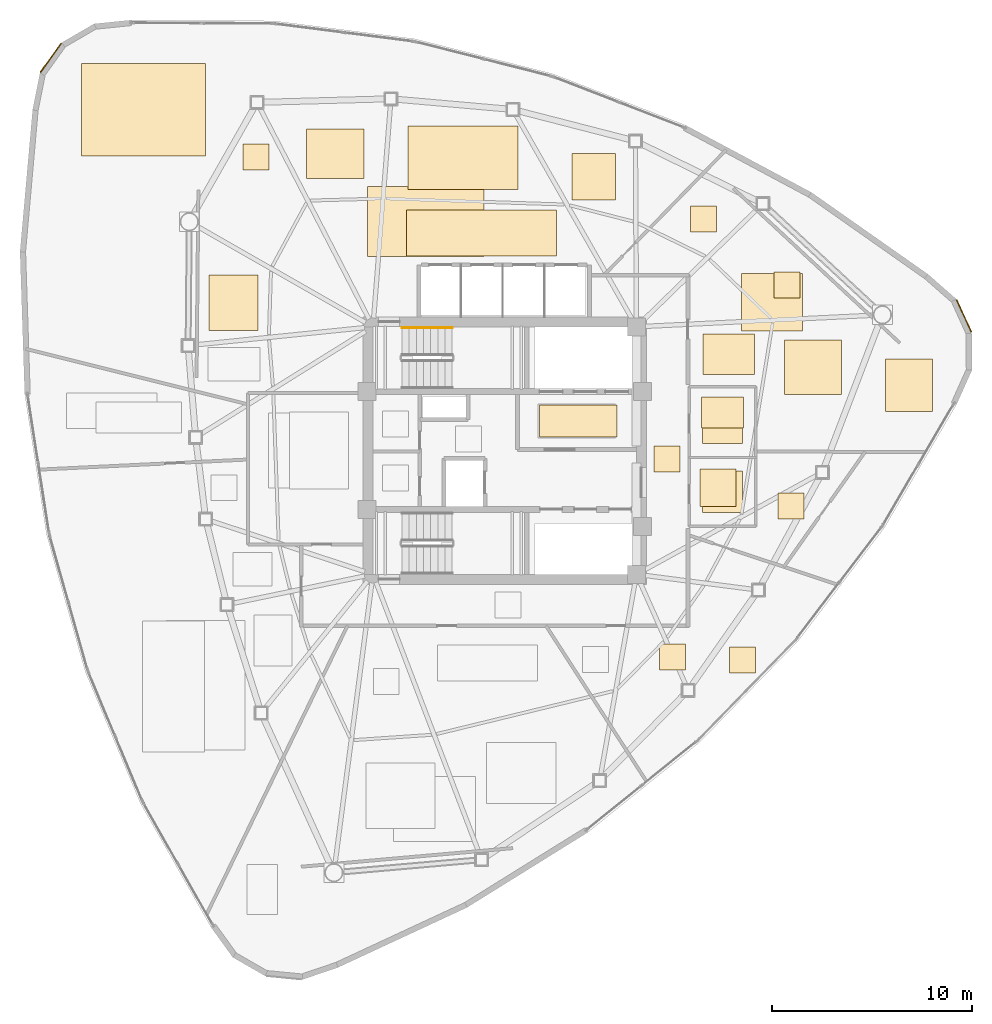
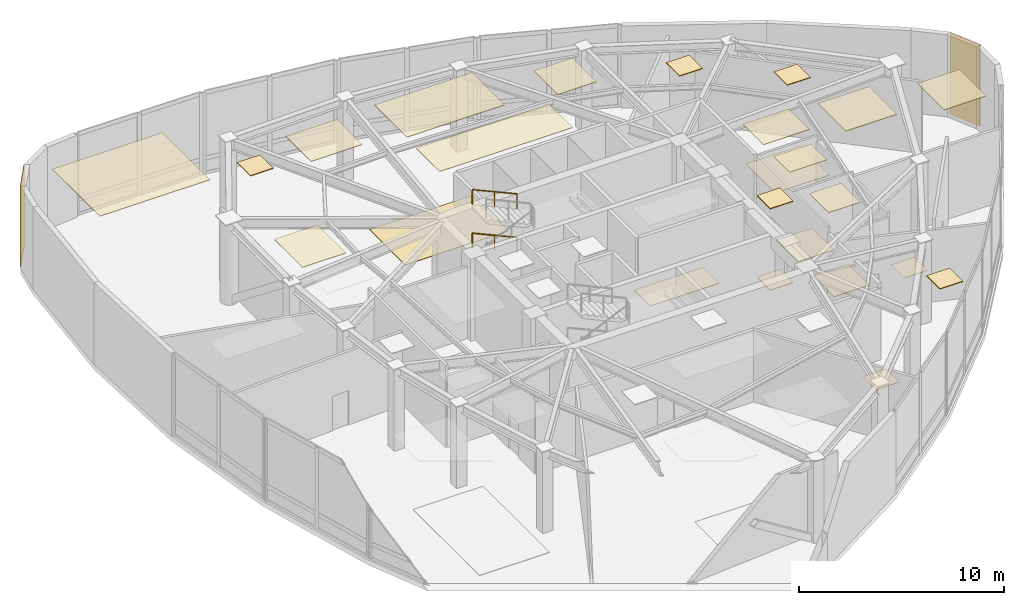
# One storey, part 12 of 12: 26 coverings, 2 railings.
"""IFC4 building model written with IfcOpenShell, lengths in metres."""

from ifc_helpers import new_model, si_unit, direction, frame, origin, origin_2d, place, context, subcontext, project, spatial, polyline, rectangle, outline, extrude, material, layer, layer_set, type_object, element, save


model = new_model("IFC4")

# Units and contexts
model_context = context("Model", 3, precision=1e-05, world=origin(), true_north=direction((0.0, 1.0)))
body_context = subcontext(model_context, "Body", "Model", "MODEL_VIEW")
ifc_project = project(units=[si_unit("LENGTHUNIT", "METRE"), si_unit("AREAUNIT", "SQUARE_METRE"), si_unit("VOLUMEUNIT", "CUBIC_METRE"), si_unit("PLANEANGLEUNIT", "RADIAN"), si_unit("MASSUNIT", "GRAM", prefix="KILO")], contexts=[model_context])

# Site, building, storey
site_placement = place(None, origin())
site = spatial("IfcSite", under=ifc_project, at=site_placement, CompositionType="ELEMENT")
building_placement = place(site_placement, origin())
building = spatial("IfcBuilding", under=site, at=building_placement, Name="Tavelor Broadcast Tower", CompositionType="ELEMENT")
storey_placement = place(building_placement, frame((0.0, 0.0, 216.949951171875)))
storey = spatial("IfcBuildingStorey", under=building, at=storey_placement, Name="L51", CompositionType="ELEMENT", Elevation=216.949951171875)

# Coverings
ifc_material_1 = material(Name="Copper-Bronze Anodized Aluminium", Category="aluminium")
ifc_layer_1 = layer(ifc_material_1, 0.044921875)
ifc_layer_set_1 = layer_set([ifc_layer_1], Name="Copper-Bronze Anodized Aluminium")
covering_type_1 = type_object("IfcCoveringType", Name="Anodised Bronze Linear Slatted Concourse Ceiling 45 mm", PredefinedType="CEILING", material=ifc_layer_set_1)
covering_1_placement = place(storey_placement, frame((0.0, 0.0, 4.85498046875)))
element("IfcCovering", 1, at=covering_1_placement, inside=storey, type_object=covering_type_1, Name="L51 Suspended Acoustic Ceiling 2033", PredefinedType="CEILING", context=body_context, shape_type="SweptSolid", body=[
    extrude(outline(polyline([(57.489990234375, 43.925048828125), (58.7900390625, 43.925048828125), (58.7900390625, 45.22509765625), (57.489990234375, 45.22509765625), (57.489990234375, 43.925048828125)])), origin(), (0.0, 0.0, 1.0), 0.045166015625),
])
ifc_layer_2 = layer(ifc_material_1, 0.050048828125)
ifc_layer_set_2 = layer_set([ifc_layer_2], Name="Copper-Bronze Anodized Aluminium")
covering_type_2 = type_object("IfcCoveringType", Name="Champagne-Bronze Corner Pier Metal Cladding 50 mm", PredefinedType="CLADDING", material=ifc_layer_set_2)
for number, where, z_axis, x_axis, name in (
    (2, (27.26025390625, 64.6728515625, 0.02001953125), (0.0, 0.0, 1.0), (-0.58141318432, -0.813608449501, 0.0), "L51 Champagne-Bronze Corner Cladding 03"),
    (3, (73.007080078125, 51.7392578125, 0.02001953125), (0.0, 0.0, 1.0), (-0.413898993841, 0.910322812467, 0.0), "L51 Champagne-Bronze Corner Cladding 23"),
):
    element("IfcCovering", number, at=place(storey_placement, frame(where, z_axis=z_axis, x_axis=x_axis)), inside=storey, type_object=covering_type_2, Name=name, PredefinedType="CLADDING", context=body_context, shape_type="SweptSolid", body=[
        extrude(rectangle(XDim=1.774658203125, YDim=0.050048828125, at=origin_2d()), origin(), (0.0, 0.0, 1.0), 4.860107421875),
    ])

# Railings
ifc_material_2 = material(Name="Steel S355", Category="steel")
railing_type = type_object("IfcRailingType", Name="Continuous Brushed Stainless Handrail 900 mm", PredefinedType="HANDRAIL", material=ifc_material_2)
for number, where, name in (
    (4, (47.3701171875, 51.14990234375, 1.462646484375), "L51 ST1 stair handrail 2"),
    (5, (47.3701171875, 51.14990234375, 4.0625), "L51 ST1 stair handrail 4"),
):
    element("IfcRailing", number, at=place(storey_placement, frame(where)), inside=storey, type_object=railing_type, Name=name, PredefinedType="HANDRAIL", context=body_context, shape_type="SweptSolid", body=[
        extrude(rectangle(XDim=0.048095703125, YDim=0.048095703125, at=origin_2d()), frame((0.0, 0.0, 0.8759765625), z_axis=(-0.911454990345, 0.0, 0.411399806241), x_axis=(0.0, -1.0, 0.0)), (0.0, 0.0, 1.0), 2.764892578125),
        extrude(rectangle(XDim=0.0419921875, YDim=0.0419921875, at=origin_2d()), origin(), (0.0, 0.0, 1.0), 0.851806640625),
        extrude(rectangle(XDim=0.0419921875, YDim=0.0419921875, at=origin_2d()), frame((-1.260009765625, 0.0, 0.56884765625)), (0.0, 0.0, 1.0), 0.851806640625),
        extrude(rectangle(XDim=0.0419921875, YDim=0.0419921875, at=origin_2d()), frame((-2.52001953125, 0.0, 1.137451171875)), (0.0, 0.0, 1.0), 0.851806640625),
    ])

# Coverings
ifc_material_3 = material(Name="Acoustic Nylon Carpet Tile")
ifc_layer_3 = layer(ifc_material_3, 0.02001953125)
ifc_layer_set_3 = layer_set([ifc_layer_3], Name="Acoustic Nylon Carpet Tile")
covering_type_3 = type_object("IfcCoveringType", Name="Heavy-Duty Acoustic Broadcast Carpet Tile 20 mm", PredefinedType="FLOORING", material=ifc_layer_set_3)
covering_2_placement = place(storey_placement, origin())
element("IfcCovering", 6, at=covering_2_placement, inside=storey, type_object=covering_type_3, Name="L51 Broadcast Floor Finish 0746", PredefinedType="FLOORING", context=body_context, shape_type="SweptSolid", body=[
    extrude(outline(polyline([(61.857177734375, 50.98779296875), (64.923583984375, 50.98779296875), (64.923583984375, 53.860595703125), (61.857177734375, 53.860595703125), (61.857177734375, 50.98779296875)])), origin(), (0.0, 0.0, 1.0), 0.02001953125),
])
covering_3_placement = place(storey_placement, origin())
element("IfcCovering", 7, at=covering_3_placement, inside=storey, type_object=covering_type_3, Name="L51 Broadcast Floor Finish 0747", PredefinedType="FLOORING", context=body_context, shape_type="SweptSolid", body=[
    extrude(outline(polyline([(57.744873046875, 34.00390625), (59.044921875, 34.00390625), (59.044921875, 35.3037109375), (57.744873046875, 35.3037109375), (57.744873046875, 34.00390625)])), origin(), (0.0, 0.0, 1.0), 0.02001953125),
])
covering_4_placement = place(storey_placement, origin())
element("IfcCovering", 8, at=covering_4_placement, inside=storey, type_object=covering_type_3, Name="L51 Broadcast Floor Finish 0751", PredefinedType="FLOORING", context=body_context, shape_type="SweptSolid", body=[
    extrude(outline(polyline([(43.128173828125, 54.720703125), (48.948974609375, 54.720703125), (48.948974609375, 58.216552734375), (43.128173828125, 58.216552734375), (43.128173828125, 54.720703125)])), origin(), (0.0, 0.0, 1.0), 0.02001953125),
])
covering_5_placement = place(storey_placement, origin())
element("IfcCovering", 9, at=covering_5_placement, inside=storey, type_object=covering_type_3, Name="L51 Broadcast Floor Finish 0752", PredefinedType="FLOORING", context=body_context, shape_type="SweptSolid", body=[
    extrude(outline(polyline([(63.69921875, 41.56689453125), (64.9990234375, 41.56689453125), (64.9990234375, 42.86669921875), (63.69921875, 42.86669921875), (63.69921875, 41.56689453125)])), origin(), (0.0, 0.0, 1.0), 0.02001953125),
])
ifc_material_4 = material(Name="Honed Natural Limestone Tile", Category="masonry")
ifc_layer_4 = layer(ifc_material_4, 0.030029296875)
ifc_layer_set_4 = layer_set([ifc_layer_4], Name="Honed Natural Limestone Tile")
covering_type_4 = type_object("IfcCoveringType", Name="Honed Jerusalem Limestone Concourse Flooring 30 mm", PredefinedType="FLOORING", material=ifc_layer_set_4)
covering_6_placement = place(storey_placement, origin())
element("IfcCovering", 10, at=covering_6_placement, inside=storey, type_object=covering_type_4, Name="L51 Broadcast Floor Finish 0741", PredefinedType="FLOORING", context=body_context, shape_type="SweptSolid", body=[
    extrude(outline(polyline([(51.7373046875, 45.689453125), (55.62255859375, 45.689453125), (55.62255859375, 47.2705078125), (51.7373046875, 47.2705078125), (51.7373046875, 45.689453125)])), origin(), (0.0, 0.0, 1.0), 0.030029296875),
])
covering_7_placement = place(storey_placement, origin())
element("IfcCovering", 11, at=covering_7_placement, inside=storey, type_object=covering_type_4, Name="L51 Broadcast Floor Finish 0742", PredefinedType="FLOORING", context=body_context, shape_type="SweptSolid", body=[
    extrude(outline(polyline([(57.489990234375, 43.925048828125), (58.7900390625, 43.925048828125), (58.7900390625, 45.22509765625), (57.489990234375, 45.22509765625), (57.489990234375, 43.925048828125)])), origin(), (0.0, 0.0, 1.0), 0.030029296875),
])
ifc_material_5 = material(Name="Architectural Anodized Aluminium", Category="aluminium")
ifc_layer_5 = layer(ifc_material_5, 0.030029296875)
ifc_layer_set_5 = layer_set([ifc_layer_5], Name="Architectural Anodized Aluminium")
covering_type_5 = type_object("IfcCoveringType", Name="Moisture-Resistant Washroom Ceiling 30 mm", PredefinedType="CEILING", material=ifc_layer_set_5)
covering_8_placement = place(storey_placement, frame((0.0, 0.0, 4.8701171875)))
element("IfcCovering", 12, at=covering_8_placement, inside=storey, type_object=covering_type_5, Name="L51 Suspended Acoustic Ceiling 2036", PredefinedType="CEILING", context=body_context, shape_type="SweptSolid", body=[
    extrude(outline(polyline([(59.79150390625, 42.2001953125), (61.589599609375, 42.2001953125), (61.589599609375, 44.08203125), (59.79150390625, 44.08203125), (59.79150390625, 42.2001953125)])), origin(), (0.0, 0.0, 1.0), 0.030029296875),
])
covering_9_placement = place(storey_placement, frame((0.0, 0.0, 4.8701171875)))
element("IfcCovering", 13, at=covering_9_placement, inside=storey, type_object=covering_type_5, Name="L51 Suspended Acoustic Ceiling 2037", PredefinedType="CEILING", context=body_context, shape_type="SweptSolid", body=[
    extrude(outline(polyline([(59.85302734375, 46.13623046875), (61.967041015625, 46.13623046875), (61.967041015625, 47.69482421875), (59.85302734375, 47.69482421875), (59.85302734375, 46.13623046875)])), origin(), (0.0, 0.0, 1.0), 0.030029296875),
])
ifc_material_6 = material(Name="Slip-Resistant Porcelain Tile")
ifc_layer_6 = layer(ifc_material_6, 0.02490234375)
ifc_layer_set_6 = layer_set([ifc_layer_6], Name="Slip-Resistant Porcelain Tile")
covering_type_6 = type_object("IfcCoveringType", Name="Slip-Resistant Porcelain Wet-Area Floor Tile 25 mm", PredefinedType="FLOORING", material=ifc_layer_set_6)
covering_10_placement = place(storey_placement, origin())
element("IfcCovering", 14, at=covering_10_placement, inside=storey, type_object=covering_type_6, Name="L51 Broadcast Floor Finish 0744", PredefinedType="FLOORING", context=body_context, shape_type="SweptSolid", body=[
    extrude(outline(polyline([(59.91064453125, 41.885986328125), (61.909423828125, 41.885986328125), (61.909423828125, 43.964111328125), (59.91064453125, 43.964111328125), (59.91064453125, 41.885986328125)])), origin(), (0.0, 0.0, 1.0), 0.025146484375),
])
covering_11_placement = place(storey_placement, origin())
element("IfcCovering", 15, at=covering_11_placement, inside=storey, type_object=covering_type_6, Name="L51 Broadcast Floor Finish 0745", PredefinedType="FLOORING", context=body_context, shape_type="SweptSolid", body=[
    extrude(outline(polyline([(59.91064453125, 45.35009765625), (61.909423828125, 45.35009765625), (61.909423828125, 47.5), (59.91064453125, 47.5), (59.91064453125, 45.35009765625)])), origin(), (0.0, 0.0, 1.0), 0.025146484375),
])
ifc_material_7 = material(Name="Acoustic Mineral Fibre Tile")
ifc_layer_7 = layer(ifc_material_7, 0.0400390625)
ifc_layer_set_7 = layer_set([ifc_layer_7], Name="Acoustic Mineral Fibre Tile")
covering_type_7 = type_object("IfcCoveringType", Name="Suspended Acoustic Mineral-Fibre Office Ceiling 40 mm", PredefinedType="CEILING", material=ifc_layer_set_7)
covering_12_placement = place(storey_placement, frame((0.0, 0.0, 4.860107421875)))
element("IfcCovering", 16, at=covering_12_placement, inside=storey, type_object=covering_type_7, Name="L51 Suspended Acoustic Ceiling 2038", PredefinedType="CEILING", context=body_context, shape_type="SweptSolid", body=[
    extrude(outline(polyline([(59.3095703125, 55.93798828125), (60.609619140625, 55.93798828125), (60.609619140625, 57.238037109375), (59.3095703125, 57.238037109375), (59.3095703125, 55.93798828125)])), origin(), (0.0, 0.0, 1.0), 0.0400390625),
])
covering_13_placement = place(storey_placement, frame((0.0, 0.0, 4.860107421875)))
element("IfcCovering", 17, at=covering_13_placement, inside=storey, type_object=covering_type_7, Name="L51 Suspended Acoustic Ceiling 2039", PredefinedType="CEILING", context=body_context, shape_type="SweptSolid", body=[
    extrude(outline(polyline([(63.486328125, 52.635009765625), (64.786376953125, 52.635009765625), (64.786376953125, 53.934814453125), (63.486328125, 53.934814453125), (63.486328125, 52.635009765625)])), origin(), (0.0, 0.0, 1.0), 0.0400390625),
])
covering_14_placement = place(storey_placement, frame((0.0, 0.0, 4.860107421875)))
element("IfcCovering", 18, at=covering_14_placement, inside=storey, type_object=covering_type_7, Name="L51 Suspended Acoustic Ceiling 2040", PredefinedType="CEILING", context=body_context, shape_type="SweptSolid", body=[
    extrude(outline(polyline([(64.00244140625, 47.80029296875), (66.8798828125, 47.80029296875), (66.8798828125, 50.52587890625), (64.00244140625, 50.52587890625), (64.00244140625, 47.80029296875)])), origin(), (0.0, 0.0, 1.0), 0.0400390625),
])
covering_15_placement = place(storey_placement, frame((0.0, 0.0, 4.860107421875)))
element("IfcCovering", 19, at=covering_15_placement, inside=storey, type_object=covering_type_7, Name="L51 Suspended Acoustic Ceiling 2041", PredefinedType="CEILING", context=body_context, shape_type="SweptSolid", body=[
    extrude(outline(polyline([(69.063720703125, 46.965087890625), (71.426513671875, 46.965087890625), (71.426513671875, 49.57568359375), (69.063720703125, 49.57568359375), (69.063720703125, 46.965087890625)])), origin(), (0.0, 0.0, 1.0), 0.0400390625),
])
covering_16_placement = place(storey_placement, frame((0.0, 0.0, 4.860107421875)))
element("IfcCovering", 20, at=covering_16_placement, inside=storey, type_object=covering_type_7, Name="L51 Suspended Acoustic Ceiling 2042", PredefinedType="CEILING", context=body_context, shape_type="SweptSolid", body=[
    extrude(outline(polyline([(59.93115234375, 48.81298828125), (62.5234375, 48.81298828125), (62.5234375, 50.826416015625), (59.93115234375, 50.826416015625), (59.93115234375, 48.81298828125)])), origin(), (0.0, 0.0, 1.0), 0.0400390625),
])
covering_17_placement = place(storey_placement, frame((0.0, 0.0, 4.860107421875)))
element("IfcCovering", 21, at=covering_17_placement, inside=storey, type_object=covering_type_7, Name="L51 Suspended Acoustic Ceiling 2043", PredefinedType="CEILING", context=body_context, shape_type="SweptSolid", body=[
    extrude(outline(polyline([(61.258056640625, 33.857666015625), (62.55810546875, 33.857666015625), (62.55810546875, 35.15771484375), (61.258056640625, 35.15771484375), (61.258056640625, 33.857666015625)])), origin(), (0.0, 0.0, 1.0), 0.0400390625),
])
covering_18_placement = place(storey_placement, frame((0.0, 0.0, 4.860107421875)))
element("IfcCovering", 22, at=covering_18_placement, inside=storey, type_object=covering_type_7, Name="L51 Suspended Acoustic Ceiling 2055", PredefinedType="CEILING", context=body_context, shape_type="SweptSolid", body=[
    extrude(outline(polyline([(35.197509765625, 51.0234375), (37.646484375, 51.0234375), (37.646484375, 53.785400390625), (35.197509765625, 53.785400390625), (35.197509765625, 51.0234375)])), origin(), (0.0, 0.0, 1.0), 0.0400390625),
])
covering_19_placement = place(storey_placement, frame((0.0, 0.0, 4.860107421875)))
element("IfcCovering", 23, at=covering_19_placement, inside=storey, type_object=covering_type_7, Name="L51 Suspended Acoustic Ceiling 2056", PredefinedType="CEILING", context=body_context, shape_type="SweptSolid", body=[
    extrude(outline(polyline([(36.896484375, 59.05810546875), (38.196533203125, 59.05810546875), (38.196533203125, 60.358154296875), (36.896484375, 60.358154296875), (36.896484375, 59.05810546875)])), origin(), (0.0, 0.0, 1.0), 0.0400390625),
])
covering_20_placement = place(storey_placement, frame((0.0, 0.0, 4.860107421875)))
element("IfcCovering", 24, at=covering_20_placement, inside=storey, type_object=covering_type_7, Name="L51 Suspended Acoustic Ceiling 2057", PredefinedType="CEILING", context=body_context, shape_type="SweptSolid", body=[
    extrude(outline(polyline([(28.795654296875, 59.756103515625), (35.006591796875, 59.756103515625), (35.006591796875, 64.390869140625), (28.795654296875, 64.390869140625), (28.795654296875, 59.756103515625)])), origin(), (0.0, 0.0, 1.0), 0.0400390625),
])
covering_21_placement = place(storey_placement, frame((0.0, 0.0, 4.860107421875)))
element("IfcCovering", 25, at=covering_21_placement, inside=storey, type_object=covering_type_7, Name="L51 Suspended Acoustic Ceiling 2058", PredefinedType="CEILING", context=body_context, shape_type="SweptSolid", body=[
    extrude(outline(polyline([(45.081787109375, 54.744140625), (52.593505859375, 54.744140625), (52.593505859375, 57.0380859375), (45.081787109375, 57.0380859375), (45.081787109375, 54.744140625)])), origin(), (0.0, 0.0, 1.0), 0.0400390625),
])
covering_22_placement = place(storey_placement, frame((0.0, 0.0, 4.860107421875)))
element("IfcCovering", 26, at=covering_22_placement, inside=storey, type_object=covering_type_7, Name="L51 Suspended Acoustic Ceiling 2060", PredefinedType="CEILING", context=body_context, shape_type="SweptSolid", body=[
    extrude(outline(polyline([(53.365478515625, 57.541259765625), (55.54296875, 57.541259765625), (55.54296875, 59.880615234375), (53.365478515625, 59.880615234375), (53.365478515625, 57.541259765625)])), origin(), (0.0, 0.0, 1.0), 0.0400390625),
])
covering_23_placement = place(storey_placement, frame((0.0, 0.0, 4.860107421875)))
element("IfcCovering", 27, at=covering_23_placement, inside=storey, type_object=covering_type_7, Name="L51 Suspended Acoustic Ceiling 2061", PredefinedType="CEILING", context=body_context, shape_type="SweptSolid", body=[
    extrude(outline(polyline([(45.157470703125, 58.081787109375), (50.666015625, 58.081787109375), (50.666015625, 61.25537109375), (45.157470703125, 61.25537109375), (45.157470703125, 58.081787109375)])), origin(), (0.0, 0.0, 1.0), 0.0400390625),
])
covering_24_placement = place(storey_placement, frame((0.0, 0.0, 4.860107421875)))
element("IfcCovering", 28, at=covering_24_placement, inside=storey, type_object=covering_type_7, Name="L51 Suspended Acoustic Ceiling 2062", PredefinedType="CEILING", context=body_context, shape_type="SweptSolid", body=[
    extrude(outline(polyline([(40.068359375, 58.62890625), (42.954833984375, 58.62890625), (42.954833984375, 61.10546875), (40.068359375, 61.10546875), (40.068359375, 58.62890625)])), origin(), (0.0, 0.0, 1.0), 0.0400390625),
])

save(model, "model.ifc")
